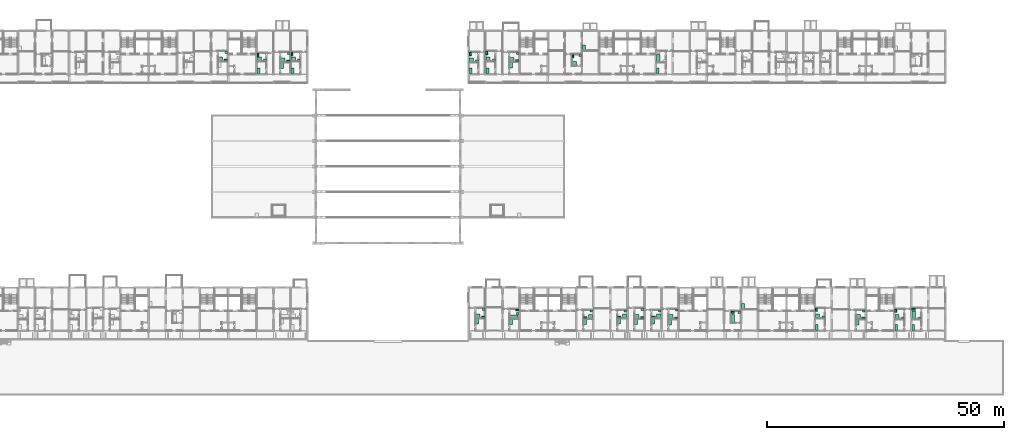
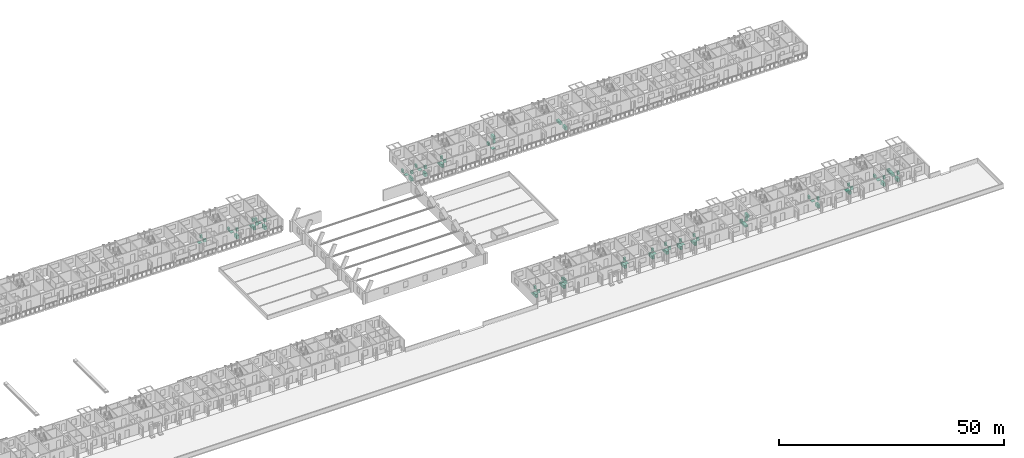
# One storey, part 114 of 115: 81 sanitary terminals.
"""IFC4 building model written with IfcOpenShell, lengths in metres."""

from ifc_helpers import new_model, si_unit, direction, frame, origin, origin_2d, place, context, subcontext, project, spatial, rectangle, extrude, element, save


model = new_model("IFC4")

# Units and contexts
model_context = context("Model", 3, precision=1e-05, world=origin(), true_north=direction((0.0, 1.0)))
body_context = subcontext(model_context, "Body", "Model", "MODEL_VIEW")
ifc_project = project(units=[si_unit("LENGTHUNIT", "METRE"), si_unit("AREAUNIT", "SQUARE_METRE"), si_unit("VOLUMEUNIT", "CUBIC_METRE"), si_unit("PLANEANGLEUNIT", "RADIAN"), si_unit("MASSUNIT", "GRAM", prefix="KILO")], contexts=[model_context])

# Site, building, storey
site_placement = place(None, origin())
site = spatial("IfcSite", under=ifc_project, at=site_placement, CompositionType="ELEMENT")
building_placement = place(site_placement, origin())
building = spatial("IfcBuilding", under=site, at=building_placement, Name="Ridgestep Commons", CompositionType="ELEMENT")
storey_placement = place(building_placement, frame((0.0, 0.0, 6.0)))
storey = spatial("IfcBuildingStorey", under=building, at=storey_placement, Name="L02", CompositionType="ELEMENT", Elevation=6.0)

# Sanitary terminals
sanitary_terminal_1_placement = place(storey_placement, frame((94.360107421875, 71.06005859375, 0.0), z_axis=(0.0, 0.0, 1.0), x_axis=(1.0, 0.0, 0.0)))
element("IfcSanitaryTerminal", 1, at=sanitary_terminal_1_placement, inside=storey, Name="Shower tray B5-02a", PredefinedType="SHOWER", context=body_context, shape_type="SweptSolid", body=[
    extrude(rectangle(XDim=0.89990234375, YDim=0.89990234375, at=origin_2d()), origin(), (0.0, 0.0, 1.0), 0.10009765625),
])
sanitary_terminal_2_placement = place(storey_placement, frame((95.5, 70.81005859375, 0.0), z_axis=(0.0, 0.0, 1.0), x_axis=(1.0, 0.0, 0.0)))
element("IfcSanitaryTerminal", 2, at=sanitary_terminal_2_placement, inside=storey, Name="WC B5-02a", PredefinedType="TOILETPAN", context=body_context, shape_type="SweptSolid", body=[
    extrude(rectangle(XDim=0.699951171875, YDim=0.39990234375, at=origin_2d()), origin(), (0.0, 0.0, 1.0), 0.800048828125),
])
sanitary_terminal_3_placement = place(storey_placement, frame((95.574951171875, 72.47509765625, 0.0), z_axis=(0.0, 0.0, 1.0), x_axis=(1.0, 0.0, 0.0)))
element("IfcSanitaryTerminal", 3, at=sanitary_terminal_3_placement, inside=storey, Name="Basin B5-02a", PredefinedType="WASHHANDBASIN", context=body_context, shape_type="SweptSolid", body=[
    extrude(rectangle(XDim=0.550048828125, YDim=0.449951171875, at=origin_2d()), origin(), (0.0, 0.0, 1.0), 0.85009765625),
])
sanitary_terminal_4_placement = place(storey_placement, frame((109.75, 71.06005859375, 0.0), z_axis=(0.0, 0.0, 1.0), x_axis=(1.0, 0.0, 0.0)))
element("IfcSanitaryTerminal", 4, at=sanitary_terminal_4_placement, inside=storey, Name="Shower tray B6-02a", PredefinedType="SHOWER", context=body_context, shape_type="SweptSolid", body=[
    extrude(rectangle(XDim=0.89990234375, YDim=0.89990234375, at=origin_2d()), origin(), (0.0, 0.0, 1.0), 0.10009765625),
])
sanitary_terminal_5_placement = place(storey_placement, frame((109.5, 72.14990234375, 0.0), z_axis=(0.0, 0.0, 1.0), x_axis=(1.0, 0.0, 0.0)))
element("IfcSanitaryTerminal", 5, at=sanitary_terminal_5_placement, inside=storey, Name="WC B6-02a", PredefinedType="TOILETPAN", context=body_context, shape_type="SweptSolid", body=[
    extrude(rectangle(XDim=0.39990234375, YDim=0.699951171875, at=origin_2d()), origin(), (0.0, 0.0, 1.0), 0.800048828125),
])
sanitary_terminal_6_placement = place(storey_placement, frame((110.965087890625, 70.8349609375, 0.0), z_axis=(0.0, 0.0, 1.0), x_axis=(1.0, 0.0, 0.0)))
element("IfcSanitaryTerminal", 6, at=sanitary_terminal_6_placement, inside=storey, Name="Basin B6-02a", PredefinedType="WASHHANDBASIN", context=body_context, shape_type="SweptSolid", body=[
    extrude(rectangle(XDim=0.550048828125, YDim=0.449951171875, at=origin_2d()), origin(), (0.0, 0.0, 1.0), 0.85009765625),
])
sanitary_terminal_7_placement = place(storey_placement, frame((109.60009765625, 68.60009765625, 0.0), z_axis=(0.0, 0.0, 1.0), x_axis=(1.0, 0.0, 0.0)))
element("IfcSanitaryTerminal", 7, at=sanitary_terminal_7_placement, inside=storey, Name="Kitchen sink B6-02a", PredefinedType="SINK", context=body_context, shape_type="SweptSolid", body=[
    extrude(rectangle(XDim=0.60009765625, YDim=1.199951171875, at=origin_2d()), origin(), (0.0, 0.0, 1.0), 0.89990234375),
])
sanitary_terminal_8_placement = place(storey_placement, frame((107.56005859375, 70.860107421875, 0.0), z_axis=(0.0, 0.0, 1.0), x_axis=(1.0, 0.0, 0.0)))
element("IfcSanitaryTerminal", 8, at=sanitary_terminal_8_placement, inside=storey, Name="Shower tray B6-02b", PredefinedType="SHOWER", context=body_context, shape_type="SweptSolid", body=[
    extrude(rectangle(XDim=0.89990234375, YDim=0.89990234375, at=origin_2d()), origin(), (0.0, 0.0, 1.0), 0.10009765625),
])
sanitary_terminal_9_placement = place(storey_placement, frame((108.75, 70.610107421875, 0.0), z_axis=(0.0, 0.0, 1.0), x_axis=(1.0, 0.0, 0.0)))
element("IfcSanitaryTerminal", 9, at=sanitary_terminal_9_placement, inside=storey, Name="WC B6-02b", PredefinedType="TOILETPAN", context=body_context, shape_type="SweptSolid", body=[
    extrude(rectangle(XDim=0.699951171875, YDim=0.39990234375, at=origin_2d()), origin(), (0.0, 0.0, 1.0), 0.800048828125),
])
sanitary_terminal_10_placement = place(storey_placement, frame((108.824951171875, 72.27490234375, 0.0), z_axis=(0.0, 0.0, 1.0), x_axis=(1.0, 0.0, 0.0)))
element("IfcSanitaryTerminal", 10, at=sanitary_terminal_10_placement, inside=storey, Name="Basin B6-02b", PredefinedType="WASHHANDBASIN", context=body_context, shape_type="SweptSolid", body=[
    extrude(rectangle(XDim=0.550048828125, YDim=0.449951171875, at=origin_2d()), origin(), (0.0, 0.0, 1.0), 0.85009765625),
])
sanitary_terminal_11_placement = place(storey_placement, frame((107.409912109375, 69.699951171875, 0.0), z_axis=(0.0, 0.0, 1.0), x_axis=(1.0, 0.0, 0.0)))
element("IfcSanitaryTerminal", 11, at=sanitary_terminal_11_placement, inside=storey, Name="Kitchen sink B6-02b", PredefinedType="SINK", context=body_context, shape_type="SweptSolid", body=[
    extrude(rectangle(XDim=0.60009765625, YDim=1.199951171875, at=origin_2d()), origin(), (0.0, 0.0, 1.0), 0.89990234375),
])
sanitary_terminal_12_placement = place(storey_placement, frame((102.574951171875, 71.06005859375, 0.0), z_axis=(0.0, 0.0, 1.0), x_axis=(1.0, 0.0, 0.0)))
element("IfcSanitaryTerminal", 12, at=sanitary_terminal_12_placement, inside=storey, Name="Shower tray B6-02c", PredefinedType="SHOWER", context=body_context, shape_type="SweptSolid", body=[
    extrude(rectangle(XDim=0.89990234375, YDim=0.89990234375, at=origin_2d()), origin(), (0.0, 0.0, 1.0), 0.10009765625),
])
sanitary_terminal_13_placement = place(storey_placement, frame((102.324951171875, 71.949951171875, 0.0), z_axis=(0.0, 0.0, 1.0), x_axis=(1.0, 0.0, 0.0)))
element("IfcSanitaryTerminal", 13, at=sanitary_terminal_13_placement, inside=storey, Name="WC B6-02c", PredefinedType="TOILETPAN", context=body_context, shape_type="SweptSolid", body=[
    extrude(rectangle(XDim=0.39990234375, YDim=0.699951171875, at=origin_2d()), origin(), (0.0, 0.0, 1.0), 0.800048828125),
])
sanitary_terminal_14_placement = place(storey_placement, frame((103.81494140625, 70.8349609375, 0.0), z_axis=(0.0, 0.0, 1.0), x_axis=(1.0, 0.0, 0.0)))
element("IfcSanitaryTerminal", 14, at=sanitary_terminal_14_placement, inside=storey, Name="Basin B6-02c", PredefinedType="WASHHANDBASIN", context=body_context, shape_type="SweptSolid", body=[
    extrude(rectangle(XDim=0.550048828125, YDim=0.449951171875, at=origin_2d()), origin(), (0.0, 0.0, 1.0), 0.85009765625),
])
sanitary_terminal_15_placement = place(storey_placement, frame((102.425048828125, 68.60009765625, 0.0), z_axis=(0.0, 0.0, 1.0), x_axis=(1.0, 0.0, 0.0)))
element("IfcSanitaryTerminal", 15, at=sanitary_terminal_15_placement, inside=storey, Name="Kitchen sink B6-02c", PredefinedType="SINK", context=body_context, shape_type="SweptSolid", body=[
    extrude(rectangle(XDim=0.60009765625, YDim=1.199951171875, at=origin_2d()), origin(), (0.0, 0.0, 1.0), 0.89990234375),
])
sanitary_terminal_16_placement = place(storey_placement, frame((147.39990234375, 70.860107421875, 0.0), z_axis=(0.0, 0.0, 1.0), x_axis=(1.0, 0.0, 0.0)))
element("IfcSanitaryTerminal", 16, at=sanitary_terminal_16_placement, inside=storey, Name="Shower tray C1-02a", PredefinedType="SHOWER", context=body_context, shape_type="SweptSolid", body=[
    extrude(rectangle(XDim=0.89990234375, YDim=0.89990234375, at=origin_2d()), origin(), (0.0, 0.0, 1.0), 0.10009765625),
])
sanitary_terminal_17_placement = place(storey_placement, frame((147.14990234375, 72.14990234375, 0.0), z_axis=(0.0, 0.0, 1.0), x_axis=(1.0, 0.0, 0.0)))
element("IfcSanitaryTerminal", 17, at=sanitary_terminal_17_placement, inside=storey, Name="WC C1-02a", PredefinedType="TOILETPAN", context=body_context, shape_type="SweptSolid", body=[
    extrude(rectangle(XDim=0.39990234375, YDim=0.699951171875, at=origin_2d()), origin(), (0.0, 0.0, 1.0), 0.800048828125),
])
sanitary_terminal_18_placement = place(storey_placement, frame((148.614990234375, 70.635009765625, 0.0), z_axis=(0.0, 0.0, 1.0), x_axis=(1.0, 0.0, 0.0)))
element("IfcSanitaryTerminal", 18, at=sanitary_terminal_18_placement, inside=storey, Name="Basin C1-02a", PredefinedType="WASHHANDBASIN", context=body_context, shape_type="SweptSolid", body=[
    extrude(rectangle(XDim=0.550048828125, YDim=0.449951171875, at=origin_2d()), origin(), (0.0, 0.0, 1.0), 0.85009765625),
])
sanitary_terminal_19_placement = place(storey_placement, frame((147.25, 68.60009765625, 0.0), z_axis=(0.0, 0.0, 1.0), x_axis=(1.0, 0.0, 0.0)))
element("IfcSanitaryTerminal", 19, at=sanitary_terminal_19_placement, inside=storey, Name="Kitchen sink C1-02a", PredefinedType="SINK", context=body_context, shape_type="SweptSolid", body=[
    extrude(rectangle(XDim=0.60009765625, YDim=1.199951171875, at=origin_2d()), origin(), (0.0, 0.0, 1.0), 0.89990234375),
])
sanitary_terminal_20_placement = place(storey_placement, frame((150.949951171875, 71.06005859375, 0.0), z_axis=(0.0, 0.0, 1.0), x_axis=(1.0, 0.0, 0.0)))
element("IfcSanitaryTerminal", 20, at=sanitary_terminal_20_placement, inside=storey, Name="Shower tray C1-02b", PredefinedType="SHOWER", context=body_context, shape_type="SweptSolid", body=[
    extrude(rectangle(XDim=0.89990234375, YDim=0.89990234375, at=origin_2d()), origin(), (0.0, 0.0, 1.0), 0.10009765625),
])
sanitary_terminal_21_placement = place(storey_placement, frame((150.699951171875, 72.35009765625, 0.0), z_axis=(0.0, 0.0, 1.0), x_axis=(1.0, 0.0, 0.0)))
element("IfcSanitaryTerminal", 21, at=sanitary_terminal_21_placement, inside=storey, Name="WC C1-02b", PredefinedType="TOILETPAN", context=body_context, shape_type="SweptSolid", body=[
    extrude(rectangle(XDim=0.39990234375, YDim=0.699951171875, at=origin_2d()), origin(), (0.0, 0.0, 1.0), 0.800048828125),
])
sanitary_terminal_22_placement = place(storey_placement, frame((152.215087890625, 70.8349609375, 0.0), z_axis=(0.0, 0.0, 1.0), x_axis=(1.0, 0.0, 0.0)))
element("IfcSanitaryTerminal", 22, at=sanitary_terminal_22_placement, inside=storey, Name="Basin C1-02b", PredefinedType="WASHHANDBASIN", context=body_context, shape_type="SweptSolid", body=[
    extrude(rectangle(XDim=0.550048828125, YDim=0.449951171875, at=origin_2d()), origin(), (0.0, 0.0, 1.0), 0.85009765625),
])
sanitary_terminal_23_placement = place(storey_placement, frame((150.800048828125, 68.60009765625, 0.0), z_axis=(0.0, 0.0, 1.0), x_axis=(1.0, 0.0, 0.0)))
element("IfcSanitaryTerminal", 23, at=sanitary_terminal_23_placement, inside=storey, Name="Kitchen sink C1-02b", PredefinedType="SINK", context=body_context, shape_type="SweptSolid", body=[
    extrude(rectangle(XDim=0.60009765625, YDim=1.199951171875, at=origin_2d()), origin(), (0.0, 0.0, 1.0), 0.89990234375),
])
sanitary_terminal_24_placement = place(storey_placement, frame((155.9599609375, 70.9599609375, 0.0), z_axis=(0.0, 0.0, 1.0), x_axis=(1.0, 0.0, 0.0)))
element("IfcSanitaryTerminal", 24, at=sanitary_terminal_24_placement, inside=storey, Name="Shower tray C1-02c", PredefinedType="SHOWER", context=body_context, shape_type="SweptSolid", body=[
    extrude(rectangle(XDim=0.89990234375, YDim=0.89990234375, at=origin_2d()), origin(), (0.0, 0.0, 1.0), 0.10009765625),
])
sanitary_terminal_25_placement = place(storey_placement, frame((157.125, 70.7099609375, 0.0), z_axis=(0.0, 0.0, 1.0), x_axis=(1.0, 0.0, 0.0)))
element("IfcSanitaryTerminal", 25, at=sanitary_terminal_25_placement, inside=storey, Name="WC C1-02c", PredefinedType="TOILETPAN", context=body_context, shape_type="SweptSolid", body=[
    extrude(rectangle(XDim=0.699951171875, YDim=0.39990234375, at=origin_2d()), origin(), (0.0, 0.0, 1.0), 0.800048828125),
])
sanitary_terminal_26_placement = place(storey_placement, frame((157.199951171875, 72.27490234375, 0.0), z_axis=(0.0, 0.0, 1.0), x_axis=(1.0, 0.0, 0.0)))
element("IfcSanitaryTerminal", 26, at=sanitary_terminal_26_placement, inside=storey, Name="Basin C1-02c", PredefinedType="WASHHANDBASIN", context=body_context, shape_type="SweptSolid", body=[
    extrude(rectangle(XDim=0.550048828125, YDim=0.449951171875, at=origin_2d()), origin(), (0.0, 0.0, 1.0), 0.85009765625),
])
sanitary_terminal_27_placement = place(storey_placement, frame((155.81005859375, 69.800048828125, 0.0), z_axis=(0.0, 0.0, 1.0), x_axis=(1.0, 0.0, 0.0)))
element("IfcSanitaryTerminal", 27, at=sanitary_terminal_27_placement, inside=storey, Name="Kitchen sink C1-02c", PredefinedType="SINK", context=body_context, shape_type="SweptSolid", body=[
    extrude(rectangle(XDim=0.60009765625, YDim=1.199951171875, at=origin_2d()), origin(), (0.0, 0.0, 1.0), 0.89990234375),
])
sanitary_terminal_28_placement = place(storey_placement, frame((169.159912109375, 70.110107421875, 0.0), z_axis=(0.0, 0.0, 1.0), x_axis=(1.0, 0.0, 0.0)))
element("IfcSanitaryTerminal", 28, at=sanitary_terminal_28_placement, inside=storey, Name="Shower tray C2-02a", PredefinedType="SHOWER", context=body_context, shape_type="SweptSolid", body=[
    extrude(rectangle(XDim=0.89990234375, YDim=0.89990234375, at=origin_2d()), origin(), (0.0, 0.0, 1.0), 0.10009765625),
])
sanitary_terminal_29_placement = place(storey_placement, frame((168.909912109375, 71.7099609375, 0.0), z_axis=(0.0, 0.0, 1.0), x_axis=(1.0, 0.0, 0.0)))
element("IfcSanitaryTerminal", 29, at=sanitary_terminal_29_placement, inside=storey, Name="WC C2-02a", PredefinedType="TOILETPAN", context=body_context, shape_type="SweptSolid", body=[
    extrude(rectangle(XDim=0.39990234375, YDim=0.699951171875, at=origin_2d()), origin(), (0.0, 0.0, 1.0), 0.800048828125),
])
sanitary_terminal_30_placement = place(storey_placement, frame((170.425048828125, 71.8349609375, 0.0), z_axis=(0.0, 0.0, 1.0), x_axis=(1.0, 0.0, 0.0)))
element("IfcSanitaryTerminal", 30, at=sanitary_terminal_30_placement, inside=storey, Name="Basin C2-02a", PredefinedType="WASHHANDBASIN", context=body_context, shape_type="SweptSolid", body=[
    extrude(rectangle(XDim=0.550048828125, YDim=0.449951171875, at=origin_2d()), origin(), (0.0, 0.0, 1.0), 0.85009765625),
])
sanitary_terminal_31_placement = place(storey_placement, frame((171.199951171875, 73.510009765625, 0.0), z_axis=(0.0, 0.0, 1.0), x_axis=(1.0, 0.0, 0.0)))
element("IfcSanitaryTerminal", 31, at=sanitary_terminal_31_placement, inside=storey, Name="Kitchen sink C2-02a", PredefinedType="SINK", context=body_context, shape_type="SweptSolid", body=[
    extrude(rectangle(XDim=0.60009765625, YDim=1.199951171875, at=origin_2d()), origin(), (0.0, 0.0, 1.0), 0.89990234375),
])
sanitary_terminal_32_placement = place(storey_placement, frame((186.89990234375, 71.260009765625, 0.0), z_axis=(0.0, 0.0, 1.0), x_axis=(1.0, 0.0, 0.0)))
element("IfcSanitaryTerminal", 32, at=sanitary_terminal_32_placement, inside=storey, Name="Bath C3-02b", PredefinedType="BATH", context=body_context, shape_type="SweptSolid", body=[
    extrude(rectangle(XDim=0.75, YDim=1.699951171875, at=origin_2d()), origin(), (0.0, 0.0, 1.0), 0.550048828125),
])
sanitary_terminal_33_placement = place(storey_placement, frame((186.824951171875, 68.60009765625, 0.0), z_axis=(0.0, 0.0, 1.0), x_axis=(1.0, 0.0, 0.0)))
element("IfcSanitaryTerminal", 33, at=sanitary_terminal_33_placement, inside=storey, Name="Kitchen sink C3-02b", PredefinedType="SINK", context=body_context, shape_type="SweptSolid", body=[
    extrude(rectangle(XDim=0.60009765625, YDim=1.199951171875, at=origin_2d()), origin(), (0.0, 0.0, 1.0), 0.89990234375),
])
sanitary_terminal_34_placement = place(storey_placement, frame((148.81005859375, 16.81005859375, 0.0), z_axis=(0.0, 0.0, 1.0), x_axis=(1.0, 0.0, 0.0)))
element("IfcSanitaryTerminal", 34, at=sanitary_terminal_34_placement, inside=storey, Name="Shower tray D1-02a", PredefinedType="SHOWER", context=body_context, shape_type="SweptSolid", body=[
    extrude(rectangle(XDim=0.89990234375, YDim=0.89990234375, at=origin_2d()), origin(), (0.0, 0.0, 1.0), 0.10009765625),
])
sanitary_terminal_35_placement = place(storey_placement, frame((149.949951171875, 16.56005859375, 0.0), z_axis=(0.0, 0.0, 1.0), x_axis=(1.0, 0.0, 0.0)))
element("IfcSanitaryTerminal", 35, at=sanitary_terminal_35_placement, inside=storey, Name="WC D1-02a", PredefinedType="TOILETPAN", context=body_context, shape_type="SweptSolid", body=[
    extrude(rectangle(XDim=0.699951171875, YDim=0.39990234375, at=origin_2d()), origin(), (0.0, 0.0, 1.0), 0.800048828125),
])
sanitary_terminal_36_placement = place(storey_placement, frame((150.02490234375, 18.22509765625, 0.0), z_axis=(0.0, 0.0, 1.0), x_axis=(1.0, 0.0, 0.0)))
element("IfcSanitaryTerminal", 36, at=sanitary_terminal_36_placement, inside=storey, Name="Basin D1-02a", PredefinedType="WASHHANDBASIN", context=body_context, shape_type="SweptSolid", body=[
    extrude(rectangle(XDim=0.550048828125, YDim=0.449951171875, at=origin_2d()), origin(), (0.0, 0.0, 1.0), 0.85009765625),
])
sanitary_terminal_37_placement = place(storey_placement, frame((148.659912109375, 15.64990234375, 0.0), z_axis=(0.0, 0.0, 1.0), x_axis=(1.0, 0.0, 0.0)))
element("IfcSanitaryTerminal", 37, at=sanitary_terminal_37_placement, inside=storey, Name="Kitchen sink D1-02a", PredefinedType="SINK", context=body_context, shape_type="SweptSolid", body=[
    extrude(rectangle(XDim=0.60009765625, YDim=1.199951171875, at=origin_2d()), origin(), (0.0, 0.0, 1.0), 0.89990234375),
])
sanitary_terminal_38_placement = place(storey_placement, frame((156.385009765625, 16.635009765625, 0.0), z_axis=(0.0, 0.0, 1.0), x_axis=(1.0, 0.0, 0.0)))
element("IfcSanitaryTerminal", 38, at=sanitary_terminal_38_placement, inside=storey, Name="Bath D1-02b", PredefinedType="BATH", context=body_context, shape_type="SweptSolid", body=[
    extrude(rectangle(XDim=1.699951171875, YDim=0.75, at=origin_2d()), origin(), (0.0, 0.0, 1.0), 0.550048828125),
])
sanitary_terminal_39_placement = place(storey_placement, frame((157.125, 18.050048828125, 0.0), z_axis=(0.0, 0.0, 1.0), x_axis=(1.0, 0.0, 0.0)))
element("IfcSanitaryTerminal", 39, at=sanitary_terminal_39_placement, inside=storey, Name="WC D1-02b", PredefinedType="TOILETPAN", context=body_context, shape_type="SweptSolid", body=[
    extrude(rectangle(XDim=0.699951171875, YDim=0.39990234375, at=origin_2d()), origin(), (0.0, 0.0, 1.0), 0.800048828125),
])
sanitary_terminal_40_placement = place(storey_placement, frame((157.199951171875, 17.284912109375, 0.0), z_axis=(0.0, 0.0, 1.0), x_axis=(1.0, 0.0, 0.0)))
element("IfcSanitaryTerminal", 40, at=sanitary_terminal_40_placement, inside=storey, Name="Basin D1-02b", PredefinedType="WASHHANDBASIN", context=body_context, shape_type="SweptSolid", body=[
    extrude(rectangle(XDim=0.550048828125, YDim=0.449951171875, at=origin_2d()), origin(), (0.0, 0.0, 1.0), 0.85009765625),
])
sanitary_terminal_41_placement = place(storey_placement, frame((155.8349609375, 15.550048828125, 0.0), z_axis=(0.0, 0.0, 1.0), x_axis=(1.0, 0.0, 0.0)))
element("IfcSanitaryTerminal", 41, at=sanitary_terminal_41_placement, inside=storey, Name="Kitchen sink D1-02b", PredefinedType="SINK", context=body_context, shape_type="SweptSolid", body=[
    extrude(rectangle(XDim=0.60009765625, YDim=1.199951171875, at=origin_2d()), origin(), (0.0, 0.0, 1.0), 0.89990234375),
])
sanitary_terminal_42_placement = place(storey_placement, frame((179.800048828125, 16.81005859375, 0.0), z_axis=(0.0, 0.0, 1.0), x_axis=(1.0, 0.0, 0.0)))
element("IfcSanitaryTerminal", 42, at=sanitary_terminal_42_placement, inside=storey, Name="Shower tray D2-02a", PredefinedType="SHOWER", context=body_context, shape_type="SweptSolid", body=[
    extrude(rectangle(XDim=0.89990234375, YDim=0.89990234375, at=origin_2d()), origin(), (0.0, 0.0, 1.0), 0.10009765625),
])
sanitary_terminal_43_placement = place(storey_placement, frame((178.68505859375, 16.56005859375, 0.0), z_axis=(0.0, 0.0, 1.0), x_axis=(1.0, 0.0, 0.0)))
element("IfcSanitaryTerminal", 43, at=sanitary_terminal_43_placement, inside=storey, Name="WC D2-02a", PredefinedType="TOILETPAN", context=body_context, shape_type="SweptSolid", body=[
    extrude(rectangle(XDim=0.699951171875, YDim=0.39990234375, at=origin_2d()), origin(), (0.0, 0.0, 1.0), 0.800048828125),
])
sanitary_terminal_44_placement = place(storey_placement, frame((179.97509765625, 17.824951171875, 0.0), z_axis=(0.0, 0.0, 1.0), x_axis=(1.0, 0.0, 0.0)))
element("IfcSanitaryTerminal", 44, at=sanitary_terminal_44_placement, inside=storey, Name="Basin D2-02a", PredefinedType="WASHHANDBASIN", context=body_context, shape_type="SweptSolid", body=[
    extrude(rectangle(XDim=0.550048828125, YDim=0.449951171875, at=origin_2d()), origin(), (0.0, 0.0, 1.0), 0.85009765625),
])
sanitary_terminal_45_placement = place(storey_placement, frame((178.635009765625, 15.64990234375, 0.0), z_axis=(0.0, 0.0, 1.0), x_axis=(1.0, 0.0, 0.0)))
element("IfcSanitaryTerminal", 45, at=sanitary_terminal_45_placement, inside=storey, Name="Kitchen sink D2-02a", PredefinedType="SINK", context=body_context, shape_type="SweptSolid", body=[
    extrude(rectangle(XDim=0.60009765625, YDim=1.199951171875, at=origin_2d()), origin(), (0.0, 0.0, 1.0), 0.89990234375),
])
sanitary_terminal_46_placement = place(storey_placement, frame((172.625, 16.7099609375, 0.0), z_axis=(0.0, 0.0, 1.0), x_axis=(1.0, 0.0, 0.0)))
element("IfcSanitaryTerminal", 46, at=sanitary_terminal_46_placement, inside=storey, Name="Shower tray D2-02b", PredefinedType="SHOWER", context=body_context, shape_type="SweptSolid", body=[
    extrude(rectangle(XDim=0.89990234375, YDim=0.89990234375, at=origin_2d()), origin(), (0.0, 0.0, 1.0), 0.10009765625),
])
sanitary_terminal_47_placement = place(storey_placement, frame((171.485107421875, 16.4599609375, 0.0), z_axis=(0.0, 0.0, 1.0), x_axis=(1.0, 0.0, 0.0)))
element("IfcSanitaryTerminal", 47, at=sanitary_terminal_47_placement, inside=storey, Name="WC D2-02b", PredefinedType="TOILETPAN", context=body_context, shape_type="SweptSolid", body=[
    extrude(rectangle(XDim=0.699951171875, YDim=0.39990234375, at=origin_2d()), origin(), (0.0, 0.0, 1.0), 0.800048828125),
])
sanitary_terminal_48_placement = place(storey_placement, frame((172.800048828125, 17.824951171875, 0.0), z_axis=(0.0, 0.0, 1.0), x_axis=(1.0, 0.0, 0.0)))
element("IfcSanitaryTerminal", 48, at=sanitary_terminal_48_placement, inside=storey, Name="Basin D2-02b", PredefinedType="WASHHANDBASIN", context=body_context, shape_type="SweptSolid", body=[
    extrude(rectangle(XDim=0.550048828125, YDim=0.449951171875, at=origin_2d()), origin(), (0.0, 0.0, 1.0), 0.85009765625),
])
sanitary_terminal_49_placement = place(storey_placement, frame((171.43505859375, 15.550048828125, 0.0), z_axis=(0.0, 0.0, 1.0), x_axis=(1.0, 0.0, 0.0)))
element("IfcSanitaryTerminal", 49, at=sanitary_terminal_49_placement, inside=storey, Name="Kitchen sink D2-02b", PredefinedType="SINK", context=body_context, shape_type="SweptSolid", body=[
    extrude(rectangle(XDim=0.60009765625, YDim=1.199951171875, at=origin_2d()), origin(), (0.0, 0.0, 1.0), 0.89990234375),
])
sanitary_terminal_50_placement = place(storey_placement, frame((182.409912109375, 16.7099609375, 0.0), z_axis=(0.0, 0.0, 1.0), x_axis=(1.0, 0.0, 0.0)))
element("IfcSanitaryTerminal", 50, at=sanitary_terminal_50_placement, inside=storey, Name="Shower tray D3-02a", PredefinedType="SHOWER", context=body_context, shape_type="SweptSolid", body=[
    extrude(rectangle(XDim=0.89990234375, YDim=0.89990234375, at=origin_2d()), origin(), (0.0, 0.0, 1.0), 0.10009765625),
])
sanitary_terminal_51_placement = place(storey_placement, frame((183.52490234375, 16.4599609375, 0.0), z_axis=(0.0, 0.0, 1.0), x_axis=(1.0, 0.0, 0.0)))
element("IfcSanitaryTerminal", 51, at=sanitary_terminal_51_placement, inside=storey, Name="WC D3-02a", PredefinedType="TOILETPAN", context=body_context, shape_type="SweptSolid", body=[
    extrude(rectangle(XDim=0.699951171875, YDim=0.39990234375, at=origin_2d()), origin(), (0.0, 0.0, 1.0), 0.800048828125),
])
sanitary_terminal_52_placement = place(storey_placement, frame((183.60009765625, 18.22509765625, 0.0), z_axis=(0.0, 0.0, 1.0), x_axis=(1.0, 0.0, 0.0)))
element("IfcSanitaryTerminal", 52, at=sanitary_terminal_52_placement, inside=storey, Name="Basin D3-02a", PredefinedType="WASHHANDBASIN", context=body_context, shape_type="SweptSolid", body=[
    extrude(rectangle(XDim=0.550048828125, YDim=0.449951171875, at=origin_2d()), origin(), (0.0, 0.0, 1.0), 0.85009765625),
])
sanitary_terminal_53_placement = place(storey_placement, frame((182.260009765625, 15.550048828125, 0.0), z_axis=(0.0, 0.0, 1.0), x_axis=(1.0, 0.0, 0.0)))
element("IfcSanitaryTerminal", 53, at=sanitary_terminal_53_placement, inside=storey, Name="Kitchen sink D3-02a", PredefinedType="SINK", context=body_context, shape_type="SweptSolid", body=[
    extrude(rectangle(XDim=0.60009765625, YDim=1.199951171875, at=origin_2d()), origin(), (0.0, 0.0, 1.0), 0.89990234375),
])
sanitary_terminal_54_placement = place(storey_placement, frame((187.02490234375, 16.81005859375, 0.0), z_axis=(0.0, 0.0, 1.0), x_axis=(1.0, 0.0, 0.0)))
element("IfcSanitaryTerminal", 54, at=sanitary_terminal_54_placement, inside=storey, Name="Shower tray D3-02b", PredefinedType="SHOWER", context=body_context, shape_type="SweptSolid", body=[
    extrude(rectangle(XDim=0.89990234375, YDim=0.89990234375, at=origin_2d()), origin(), (0.0, 0.0, 1.0), 0.10009765625),
])
sanitary_terminal_55_placement = place(storey_placement, frame((185.885009765625, 16.56005859375, 0.0), z_axis=(0.0, 0.0, 1.0), x_axis=(1.0, 0.0, 0.0)))
element("IfcSanitaryTerminal", 55, at=sanitary_terminal_55_placement, inside=storey, Name="WC D3-02b", PredefinedType="TOILETPAN", context=body_context, shape_type="SweptSolid", body=[
    extrude(rectangle(XDim=0.699951171875, YDim=0.39990234375, at=origin_2d()), origin(), (0.0, 0.0, 1.0), 0.800048828125),
])
sanitary_terminal_56_placement = place(storey_placement, frame((187.199951171875, 17.824951171875, 0.0), z_axis=(0.0, 0.0, 1.0), x_axis=(1.0, 0.0, 0.0)))
element("IfcSanitaryTerminal", 56, at=sanitary_terminal_56_placement, inside=storey, Name="Basin D3-02b", PredefinedType="WASHHANDBASIN", context=body_context, shape_type="SweptSolid", body=[
    extrude(rectangle(XDim=0.550048828125, YDim=0.449951171875, at=origin_2d()), origin(), (0.0, 0.0, 1.0), 0.85009765625),
])
sanitary_terminal_57_placement = place(storey_placement, frame((185.8349609375, 15.64990234375, 0.0), z_axis=(0.0, 0.0, 1.0), x_axis=(1.0, 0.0, 0.0)))
element("IfcSanitaryTerminal", 57, at=sanitary_terminal_57_placement, inside=storey, Name="Kitchen sink D3-02b", PredefinedType="SINK", context=body_context, shape_type="SweptSolid", body=[
    extrude(rectangle(XDim=0.60009765625, YDim=1.199951171875, at=origin_2d()), origin(), (0.0, 0.0, 1.0), 0.89990234375),
])
sanitary_terminal_58_placement = place(storey_placement, frame((189.5849609375, 16.610107421875, 0.0), z_axis=(0.0, 0.0, 1.0), x_axis=(1.0, 0.0, 0.0)))
element("IfcSanitaryTerminal", 58, at=sanitary_terminal_58_placement, inside=storey, Name="Shower tray D3-02c", PredefinedType="SHOWER", context=body_context, shape_type="SweptSolid", body=[
    extrude(rectangle(XDim=0.89990234375, YDim=0.89990234375, at=origin_2d()), origin(), (0.0, 0.0, 1.0), 0.10009765625),
])
sanitary_terminal_59_placement = place(storey_placement, frame((190.72509765625, 16.360107421875, 0.0), z_axis=(0.0, 0.0, 1.0), x_axis=(1.0, 0.0, 0.0)))
element("IfcSanitaryTerminal", 59, at=sanitary_terminal_59_placement, inside=storey, Name="WC D3-02c", PredefinedType="TOILETPAN", context=body_context, shape_type="SweptSolid", body=[
    extrude(rectangle(XDim=0.699951171875, YDim=0.39990234375, at=origin_2d()), origin(), (0.0, 0.0, 1.0), 0.800048828125),
])
sanitary_terminal_60_placement = place(storey_placement, frame((190.800048828125, 18.02490234375, 0.0), z_axis=(0.0, 0.0, 1.0), x_axis=(1.0, 0.0, 0.0)))
element("IfcSanitaryTerminal", 60, at=sanitary_terminal_60_placement, inside=storey, Name="Basin D3-02c", PredefinedType="WASHHANDBASIN", context=body_context, shape_type="SweptSolid", body=[
    extrude(rectangle(XDim=0.550048828125, YDim=0.449951171875, at=origin_2d()), origin(), (0.0, 0.0, 1.0), 0.85009765625),
])
sanitary_terminal_61_placement = place(storey_placement, frame((189.43505859375, 15.449951171875, 0.0), z_axis=(0.0, 0.0, 1.0), x_axis=(1.0, 0.0, 0.0)))
element("IfcSanitaryTerminal", 61, at=sanitary_terminal_61_placement, inside=storey, Name="Kitchen sink D3-02c", PredefinedType="SINK", context=body_context, shape_type="SweptSolid", body=[
    extrude(rectangle(XDim=0.60009765625, YDim=1.199951171875, at=origin_2d()), origin(), (0.0, 0.0, 1.0), 0.89990234375),
])
sanitary_terminal_62_placement = place(storey_placement, frame((202.7099609375, 16.260009765625, 0.0), z_axis=(0.0, 0.0, 1.0), x_axis=(1.0, 0.0, 0.0)))
element("IfcSanitaryTerminal", 62, at=sanitary_terminal_62_placement, inside=storey, Name="Bath D4-02a", PredefinedType="BATH", context=body_context, shape_type="SweptSolid", body=[
    extrude(rectangle(XDim=0.75, YDim=1.699951171875, at=origin_2d()), origin(), (0.0, 0.0, 1.0), 0.550048828125),
])
sanitary_terminal_63_placement = place(storey_placement, frame((202.68505859375, 17.610107421875, 0.0), z_axis=(0.0, 0.0, 1.0), x_axis=(1.0, 0.0, 0.0)))
element("IfcSanitaryTerminal", 63, at=sanitary_terminal_63_placement, inside=storey, Name="WC D4-02a", PredefinedType="TOILETPAN", context=body_context, shape_type="SweptSolid", body=[
    extrude(rectangle(XDim=0.699951171875, YDim=0.39990234375, at=origin_2d()), origin(), (0.0, 0.0, 1.0), 0.800048828125),
])
sanitary_terminal_64_placement = place(storey_placement, frame((204.0, 17.5849609375, 0.0), z_axis=(0.0, 0.0, 1.0), x_axis=(1.0, 0.0, 0.0)))
element("IfcSanitaryTerminal", 64, at=sanitary_terminal_64_placement, inside=storey, Name="Basin D4-02a", PredefinedType="WASHHANDBASIN", context=body_context, shape_type="SweptSolid", body=[
    extrude(rectangle(XDim=0.550048828125, YDim=0.449951171875, at=origin_2d()), origin(), (0.0, 0.0, 1.0), 0.85009765625),
])
sanitary_terminal_65_placement = place(storey_placement, frame((204.824951171875, 18.860107421875, 0.0), z_axis=(0.0, 0.0, 1.0), x_axis=(1.0, 0.0, 0.0)))
element("IfcSanitaryTerminal", 65, at=sanitary_terminal_65_placement, inside=storey, Name="Kitchen sink D4-02a", PredefinedType="SINK", context=body_context, shape_type="SweptSolid", body=[
    extrude(rectangle(XDim=0.60009765625, YDim=1.199951171875, at=origin_2d()), origin(), (0.0, 0.0, 1.0), 0.89990234375),
])
sanitary_terminal_66_placement = place(storey_placement, frame((229.18505859375, 16.610107421875, 0.0), z_axis=(0.0, 0.0, 1.0), x_axis=(1.0, 0.0, 0.0)))
element("IfcSanitaryTerminal", 66, at=sanitary_terminal_66_placement, inside=storey, Name="Shower tray D5-02a", PredefinedType="SHOWER", context=body_context, shape_type="SweptSolid", body=[
    extrude(rectangle(XDim=0.89990234375, YDim=0.89990234375, at=origin_2d()), origin(), (0.0, 0.0, 1.0), 0.10009765625),
])
sanitary_terminal_67_placement = place(storey_placement, frame((230.300048828125, 16.360107421875, 0.0), z_axis=(0.0, 0.0, 1.0), x_axis=(1.0, 0.0, 0.0)))
element("IfcSanitaryTerminal", 67, at=sanitary_terminal_67_placement, inside=storey, Name="WC D5-02a", PredefinedType="TOILETPAN", context=body_context, shape_type="SweptSolid", body=[
    extrude(rectangle(XDim=0.699951171875, YDim=0.39990234375, at=origin_2d()), origin(), (0.0, 0.0, 1.0), 0.800048828125),
])
sanitary_terminal_68_placement = place(storey_placement, frame((230.375, 17.824951171875, 0.0), z_axis=(0.0, 0.0, 1.0), x_axis=(1.0, 0.0, 0.0)))
element("IfcSanitaryTerminal", 68, at=sanitary_terminal_68_placement, inside=storey, Name="Basin D5-02a", PredefinedType="WASHHANDBASIN", context=body_context, shape_type="SweptSolid", body=[
    extrude(rectangle(XDim=0.550048828125, YDim=0.449951171875, at=origin_2d()), origin(), (0.0, 0.0, 1.0), 0.85009765625),
])
sanitary_terminal_69_placement = place(storey_placement, frame((229.034912109375, 15.449951171875, 0.0), z_axis=(0.0, 0.0, 1.0), x_axis=(1.0, 0.0, 0.0)))
element("IfcSanitaryTerminal", 69, at=sanitary_terminal_69_placement, inside=storey, Name="Kitchen sink D5-02a", PredefinedType="SINK", context=body_context, shape_type="SweptSolid", body=[
    extrude(rectangle(XDim=0.60009765625, YDim=1.199951171875, at=origin_2d()), origin(), (0.0, 0.0, 1.0), 0.89990234375),
])
sanitary_terminal_70_placement = place(storey_placement, frame((220.574951171875, 16.81005859375, 0.0), z_axis=(0.0, 0.0, 1.0), x_axis=(1.0, 0.0, 0.0)))
element("IfcSanitaryTerminal", 70, at=sanitary_terminal_70_placement, inside=storey, Name="Shower tray D5-02b", PredefinedType="SHOWER", context=body_context, shape_type="SweptSolid", body=[
    extrude(rectangle(XDim=0.89990234375, YDim=0.89990234375, at=origin_2d()), origin(), (0.0, 0.0, 1.0), 0.10009765625),
])
sanitary_terminal_71_placement = place(storey_placement, frame((220.324951171875, 18.10009765625, 0.0), z_axis=(0.0, 0.0, 1.0), x_axis=(1.0, 0.0, 0.0)))
element("IfcSanitaryTerminal", 71, at=sanitary_terminal_71_placement, inside=storey, Name="WC D5-02b", PredefinedType="TOILETPAN", context=body_context, shape_type="SweptSolid", body=[
    extrude(rectangle(XDim=0.39990234375, YDim=0.699951171875, at=origin_2d()), origin(), (0.0, 0.0, 1.0), 0.800048828125),
])
sanitary_terminal_72_placement = place(storey_placement, frame((221.7900390625, 16.5849609375, 0.0), z_axis=(0.0, 0.0, 1.0), x_axis=(1.0, 0.0, 0.0)))
element("IfcSanitaryTerminal", 72, at=sanitary_terminal_72_placement, inside=storey, Name="Basin D5-02b", PredefinedType="WASHHANDBASIN", context=body_context, shape_type="SweptSolid", body=[
    extrude(rectangle(XDim=0.550048828125, YDim=0.449951171875, at=origin_2d()), origin(), (0.0, 0.0, 1.0), 0.85009765625),
])
sanitary_terminal_73_placement = place(storey_placement, frame((220.425048828125, 14.35009765625, 0.0), z_axis=(0.0, 0.0, 1.0), x_axis=(1.0, 0.0, 0.0)))
element("IfcSanitaryTerminal", 73, at=sanitary_terminal_73_placement, inside=storey, Name="Kitchen sink D5-02b", PredefinedType="SINK", context=body_context, shape_type="SweptSolid", body=[
    extrude(rectangle(XDim=0.60009765625, YDim=1.199951171875, at=origin_2d()), origin(), (0.0, 0.0, 1.0), 0.89990234375),
])
sanitary_terminal_74_placement = place(storey_placement, frame((240.89990234375, 17.010009765625, 0.0), z_axis=(0.0, 0.0, 1.0), x_axis=(1.0, 0.0, 0.0)))
element("IfcSanitaryTerminal", 74, at=sanitary_terminal_74_placement, inside=storey, Name="Bath D6-02a", PredefinedType="BATH", context=body_context, shape_type="SweptSolid", body=[
    extrude(rectangle(XDim=0.75, YDim=1.699951171875, at=origin_2d()), origin(), (0.0, 0.0, 1.0), 0.550048828125),
])
sanitary_terminal_75_placement = place(storey_placement, frame((240.875, 18.25, 0.0), z_axis=(0.0, 0.0, 1.0), x_axis=(1.0, 0.0, 0.0)))
element("IfcSanitaryTerminal", 75, at=sanitary_terminal_75_placement, inside=storey, Name="WC D6-02a", PredefinedType="TOILETPAN", context=body_context, shape_type="SweptSolid", body=[
    extrude(rectangle(XDim=0.699951171875, YDim=0.39990234375, at=origin_2d()), origin(), (0.0, 0.0, 1.0), 0.800048828125),
])
sanitary_terminal_76_placement = place(storey_placement, frame((242.18994140625, 16.385009765625, 0.0), z_axis=(0.0, 0.0, 1.0), x_axis=(1.0, 0.0, 0.0)))
element("IfcSanitaryTerminal", 76, at=sanitary_terminal_76_placement, inside=storey, Name="Basin D6-02a", PredefinedType="WASHHANDBASIN", context=body_context, shape_type="SweptSolid", body=[
    extrude(rectangle(XDim=0.550048828125, YDim=0.449951171875, at=origin_2d()), origin(), (0.0, 0.0, 1.0), 0.85009765625),
])
sanitary_terminal_77_placement = place(storey_placement, frame((240.824951171875, 14.35009765625, 0.0), z_axis=(0.0, 0.0, 1.0), x_axis=(1.0, 0.0, 0.0)))
element("IfcSanitaryTerminal", 77, at=sanitary_terminal_77_placement, inside=storey, Name="Kitchen sink D6-02a", PredefinedType="SINK", context=body_context, shape_type="SweptSolid", body=[
    extrude(rectangle(XDim=0.60009765625, YDim=1.199951171875, at=origin_2d()), origin(), (0.0, 0.0, 1.0), 0.89990234375),
])
sanitary_terminal_78_placement = place(storey_placement, frame((237.375, 16.610107421875, 0.0), z_axis=(0.0, 0.0, 1.0), x_axis=(1.0, 0.0, 0.0)))
element("IfcSanitaryTerminal", 78, at=sanitary_terminal_78_placement, inside=storey, Name="Shower tray D6-02b", PredefinedType="SHOWER", context=body_context, shape_type="SweptSolid", body=[
    extrude(rectangle(XDim=0.89990234375, YDim=0.89990234375, at=origin_2d()), origin(), (0.0, 0.0, 1.0), 0.10009765625),
])
sanitary_terminal_79_placement = place(storey_placement, frame((237.125, 17.89990234375, 0.0), z_axis=(0.0, 0.0, 1.0), x_axis=(1.0, 0.0, 0.0)))
element("IfcSanitaryTerminal", 79, at=sanitary_terminal_79_placement, inside=storey, Name="WC D6-02b", PredefinedType="TOILETPAN", context=body_context, shape_type="SweptSolid", body=[
    extrude(rectangle(XDim=0.39990234375, YDim=0.699951171875, at=origin_2d()), origin(), (0.0, 0.0, 1.0), 0.800048828125),
])
sanitary_terminal_80_placement = place(storey_placement, frame((238.590087890625, 16.385009765625, 0.0), z_axis=(0.0, 0.0, 1.0), x_axis=(1.0, 0.0, 0.0)))
element("IfcSanitaryTerminal", 80, at=sanitary_terminal_80_placement, inside=storey, Name="Basin D6-02b", PredefinedType="WASHHANDBASIN", context=body_context, shape_type="SweptSolid", body=[
    extrude(rectangle(XDim=0.550048828125, YDim=0.449951171875, at=origin_2d()), origin(), (0.0, 0.0, 1.0), 0.85009765625),
])
sanitary_terminal_81_placement = place(storey_placement, frame((237.22509765625, 14.35009765625, 0.0), z_axis=(0.0, 0.0, 1.0), x_axis=(1.0, 0.0, 0.0)))
element("IfcSanitaryTerminal", 81, at=sanitary_terminal_81_placement, inside=storey, Name="Kitchen sink D6-02b", PredefinedType="SINK", context=body_context, shape_type="SweptSolid", body=[
    extrude(rectangle(XDim=0.60009765625, YDim=1.199951171875, at=origin_2d()), origin(), (0.0, 0.0, 1.0), 0.89990234375),
])

save(model, "model.ifc")
